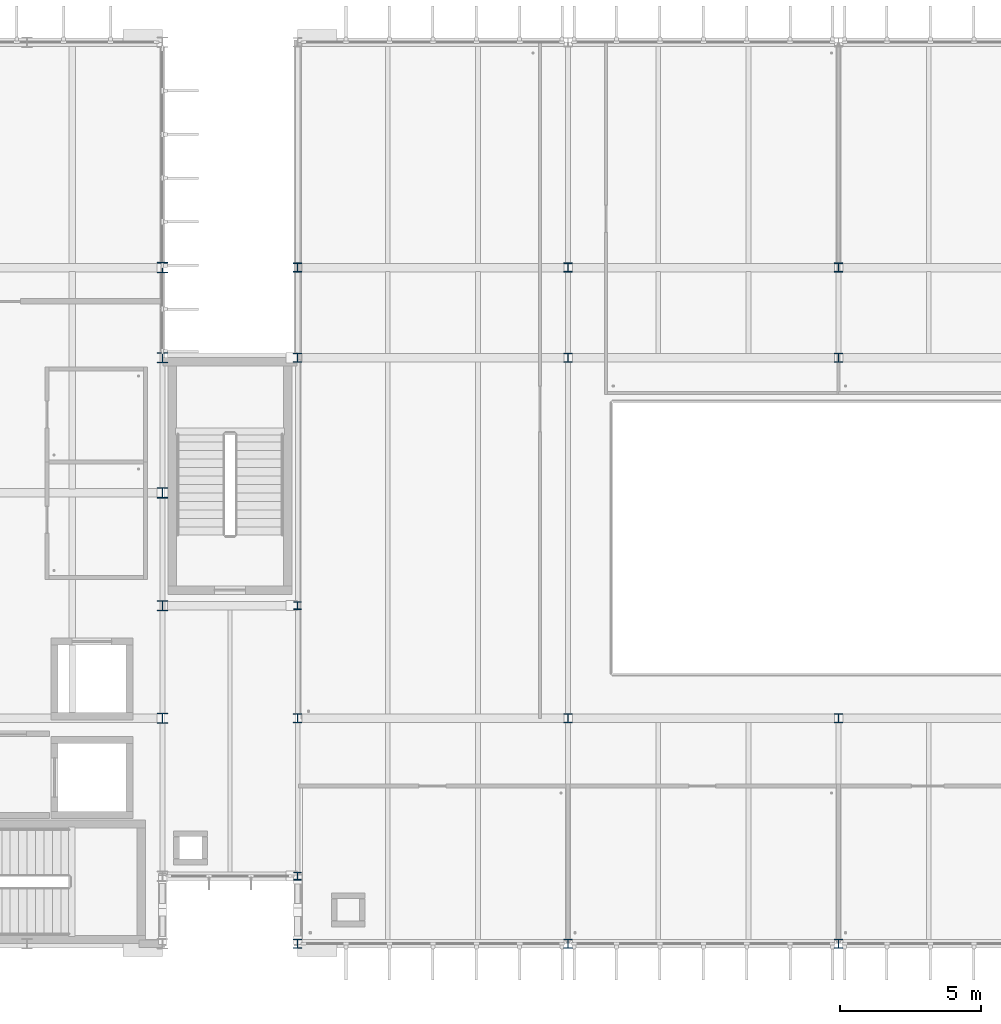
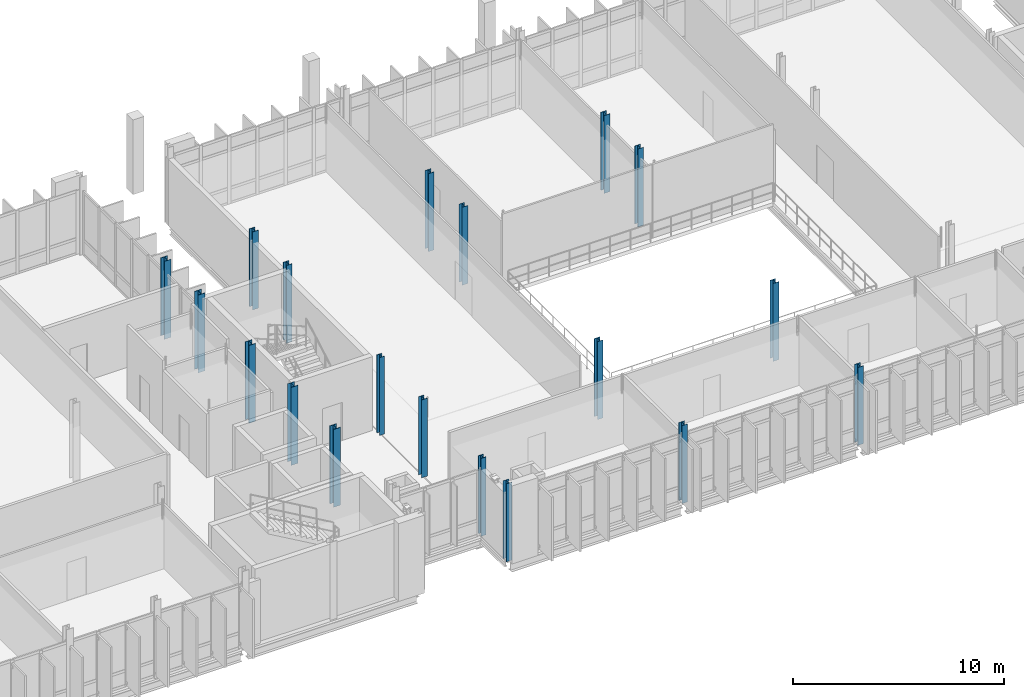
# One storey, part 2 of 110: 19 columns.
"""IFC4 building model written with IfcOpenShell, lengths in metres."""

from ifc_helpers import new_model, si_unit, direction, frame, origin, origin_2d, place, context, subcontext, project, spatial, i_section, extrude, material, material_profile, profile_set, type_object, element, save


model = new_model("IFC4")

# Units and contexts
model_context = context("Model", 3, precision=1e-05, world=origin(), true_north=direction((0.0, 1.0)))
body_context = subcontext(model_context, "Body", "Model", "MODEL_VIEW")
ifc_project = project(units=[si_unit("LENGTHUNIT", "METRE"), si_unit("AREAUNIT", "SQUARE_METRE"), si_unit("VOLUMEUNIT", "CUBIC_METRE"), si_unit("PLANEANGLEUNIT", "RADIAN"), si_unit("MASSUNIT", "GRAM", prefix="KILO")], contexts=[model_context])

# Site, building, storey
site_placement = place(None, origin())
site = spatial("IfcSite", under=ifc_project, at=site_placement, CompositionType="ELEMENT")
building_placement = place(site_placement, origin())
building = spatial("IfcBuilding", under=site, at=building_placement, Name="Dunescarp Central Library", CompositionType="ELEMENT")
storey_placement = place(building_placement, frame((0.0, 0.0, 9.60009765625)))
storey = spatial("IfcBuildingStorey", under=building, at=storey_placement, Name="L02", CompositionType="ELEMENT", Elevation=9.60009765625)

# Columns
ifc_material = material(Name="Steel S355JR", Category="steel")
ifc_material_profile_1 = material_profile(ifc_material, i_section(OverallWidth=0.26123046875, OverallDepth=0.2763671875, WebThickness=0.015380859375, FlangeThickness=0.025390625, at=origin_2d()), Name="UC 254x254x132")
ifc_profile_set_1 = profile_set([ifc_material_profile_1], Name="Steel S355JR")
column_type_1 = type_object("IfcColumnType", Name="STR-COL-UC254X132", PredefinedType="COLUMN", material=ifc_profile_set_1)
for number, where, z_axis, x_axis, name in (
    (1, (38.39990234375, 7.199951171875, 0.0), (0.0, 0.0, 1.0), (1.0, 0.0, 0.0), "L02 column V2L-384-72"),
    (2, (38.39990234375, 16.800048828125, 0.0), (0.0, 0.0, 1.0), (1.0, 0.0, 0.0), "L02 column V2L-384-168"),
):
    element("IfcColumn", number, at=place(storey_placement, frame(where, z_axis=z_axis, x_axis=x_axis)), inside=storey, type_object=column_type_1, Name=name, PredefinedType="COLUMN", context=body_context, shape_type="SweptSolid", body=[
        extrude(i_section(OverallWidth=0.26123046875, OverallDepth=0.2763671875, WebThickness=0.015380859375, FlangeThickness=0.025390625, at=origin_2d()), origin(), (0.0, 0.0, 1.0), 4.5),
    ])
ifc_material_profile_2 = material_profile(ifc_material, i_section(OverallWidth=0.307373046875, OverallDepth=0.314453125, WebThickness=0.011962890625, FlangeThickness=0.018798828125, at=origin_2d()), Name="UC 305x305x118")
ifc_profile_set_2 = profile_set([ifc_material_profile_2], Name="Steel S355JR")
column_type_2 = type_object("IfcColumnType", Name="STR-COL-UC305X118", PredefinedType="COLUMN", material=ifc_profile_set_2)
for number, where, z_axis, x_axis, name in (
    (3, (38.39990234375, 4.800048828125, 0.0), (0.0, 0.0, 1.0), (1.0, 0.0, 0.0), "L02 column V2-384-48"),
    (4, (38.39990234375, 12.800048828125, 0.0), (0.0, 0.0, 1.0), (1.0, 0.0, 0.0), "L02 column V2-384-128"),
    (5, (38.39990234375, 25.60009765625, 0.0), (0.0, 0.0, 1.0), (1.0, 0.0, 0.0), "L02 column V2-384-256"),
    (6, (48.0, 4.800048828125, 0.0), (0.0, 0.0, 1.0), (1.0, 0.0, 0.0), "L02 column V2-480-48"),
    (7, (48.0, 12.800048828125, 0.0), (0.0, 0.0, 1.0), (1.0, 0.0, 0.0), "L02 column V2-480-128"),
    (8, (48.0, 25.60009765625, 0.0), (0.0, 0.0, 1.0), (1.0, 0.0, 0.0), "L02 column V2-480-256"),
    (9, (57.60009765625, 4.800048828125, 0.0), (0.0, 0.0, 1.0), (1.0, 0.0, 0.0), "L02 column V2-576-48"),
    (10, (57.60009765625, 12.800048828125, 0.0), (0.0, 0.0, 1.0), (1.0, 0.0, 0.0), "L02 column V2-576-128"),
    (11, (57.60009765625, 25.60009765625, 0.0), (0.0, 0.0, 1.0), (1.0, 0.0, 0.0), "L02 column V2-576-256"),
):
    element("IfcColumn", number, at=place(storey_placement, frame(where, z_axis=z_axis, x_axis=x_axis)), inside=storey, type_object=column_type_2, Name=name, PredefinedType="COLUMN", context=body_context, shape_type="SweptSolid", body=[
        extrude(i_section(OverallWidth=0.307373046875, OverallDepth=0.314453125, WebThickness=0.011962890625, FlangeThickness=0.018798828125, at=origin_2d()), origin(), (0.0, 0.0, 1.0), 4.5),
    ])
ifc_material_profile_3 = material_profile(ifc_material, i_section(OverallWidth=0.311279296875, OverallDepth=0.3271484375, WebThickness=0.015869140625, FlangeThickness=0.02490234375, at=origin_2d()), Name="UC 305x305x158")
ifc_profile_set_3 = profile_set([ifc_material_profile_3], Name="Steel S355JR")
column_type_3 = type_object("IfcColumnType", Name="STR-COL-UC305X158", PredefinedType="COLUMN", material=ifc_profile_set_3)
for number, where, z_axis, x_axis, name in (
    (12, (38.39990234375, 28.800048828125, 0.0), (0.0, 0.0, 1.0), (1.0, 0.0, 0.0), "L02 column V2N5-384"),
    (13, (48.0, 28.800048828125, 0.0), (0.0, 0.0, 1.0), (1.0, 0.0, 0.0), "L02 column V2N5-480"),
    (14, (57.60009765625, 28.800048828125, 0.0), (0.0, 0.0, 1.0), (1.0, 0.0, 0.0), "L02 column V2N5-576"),
):
    element("IfcColumn", number, at=place(storey_placement, frame(where, z_axis=z_axis, x_axis=x_axis)), inside=storey, type_object=column_type_3, Name=name, PredefinedType="COLUMN", context=body_context, shape_type="SweptSolid", body=[
        extrude(i_section(OverallWidth=0.311279296875, OverallDepth=0.3271484375, WebThickness=0.015869140625, FlangeThickness=0.02490234375, at=origin_2d()), origin(), (0.0, 0.0, 1.0), 4.5),
    ])
ifc_material_profile_4 = material_profile(ifc_material, i_section(OverallWidth=0.37060546875, OverallDepth=0.362060546875, WebThickness=0.01220703125, FlangeThickness=0.020751953125, at=origin_2d()), Name="UC 356x368x153")
ifc_profile_set_4 = profile_set([ifc_material_profile_4], Name="Steel S355JR")
column_type_4 = type_object("IfcColumnType", Name="STR-COL-UC356X153", PredefinedType="COLUMN", material=ifc_profile_set_4)
for number, where, z_axis, x_axis, name in (
    (15, (33.60009765625, 12.800048828125, 0.0), (0.0, 0.0, 1.0), (1.0, 0.0, 0.0), "L02 column V1P-336-128"),
    (16, (33.60009765625, 16.800048828125, 0.0), (0.0, 0.0, 1.0), (1.0, 0.0, 0.0), "L02 column V1P-336-168"),
    (17, (33.60009765625, 20.800048828125, 0.0), (0.0, 0.0, 1.0), (1.0, 0.0, 0.0), "L02 column V1P-336-208"),
    (18, (33.60009765625, 25.60009765625, 0.0), (0.0, 0.0, 1.0), (1.0, 0.0, 0.0), "L02 column V1P-336-256"),
    (19, (33.60009765625, 28.800048828125, 0.0), (0.0, 0.0, 1.0), (1.0, 0.0, 0.0), "L02 column V1P-336-288"),
):
    element("IfcColumn", number, at=place(storey_placement, frame(where, z_axis=z_axis, x_axis=x_axis)), inside=storey, type_object=column_type_4, Name=name, PredefinedType="COLUMN", context=body_context, shape_type="SweptSolid", body=[
        extrude(i_section(OverallWidth=0.37060546875, OverallDepth=0.362060546875, WebThickness=0.01220703125, FlangeThickness=0.020751953125, at=origin_2d()), origin(), (0.0, 0.0, 1.0), 4.5),
    ])

save(model, "model.ifc")
